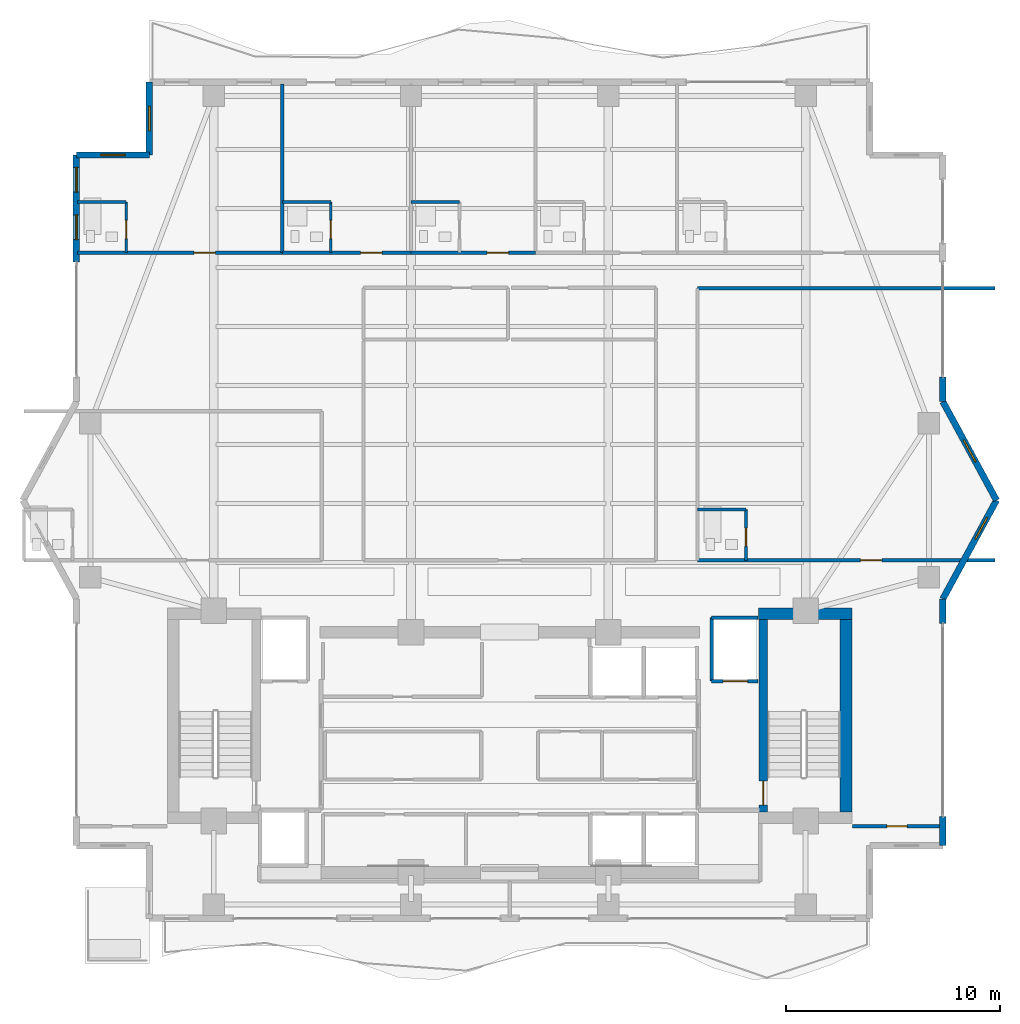
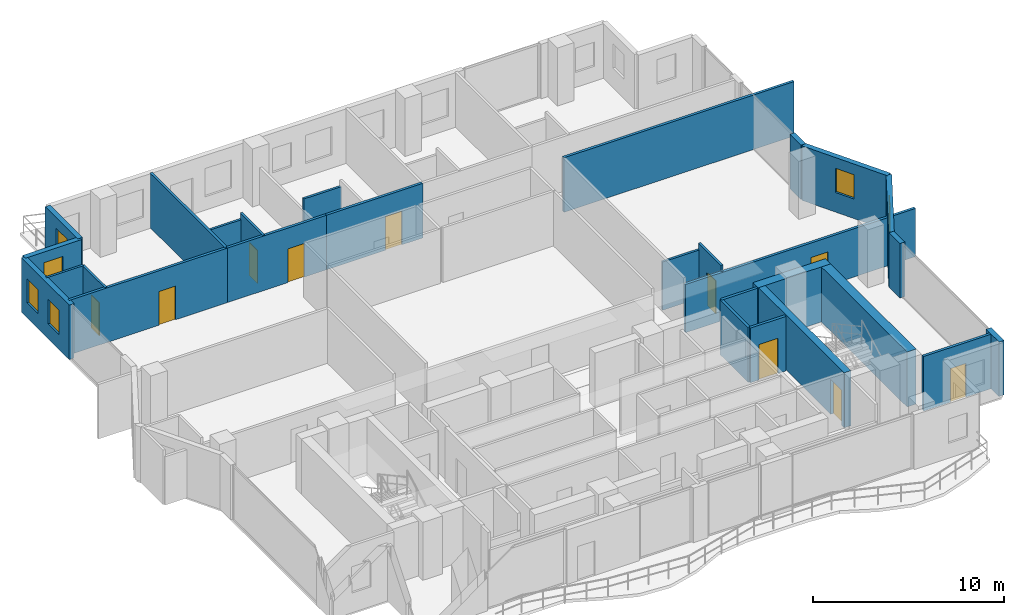
# One storey, part 20 of 26: 28 walls, 10 doors, 6 windows, 16 openings.
"""IFC4 building model written with IfcOpenShell, lengths in metres."""

from ifc_helpers import new_model, si_unit, direction, frame, frame_2d, origin, place, context, subcontext, project, spatial, rectangle, extrude, material, layer, layer_set, type_object, element, fill, save


model = new_model("IFC4")

# Units and contexts
model_context = context("Model", 3, precision=1e-05, world=origin(), true_north=direction((0.0, 1.0)))
body_context = subcontext(model_context, "Body", "Model", "MODEL_VIEW")
ifc_project = project(units=[si_unit("LENGTHUNIT", "METRE"), si_unit("AREAUNIT", "SQUARE_METRE"), si_unit("VOLUMEUNIT", "CUBIC_METRE"), si_unit("PLANEANGLEUNIT", "RADIAN"), si_unit("MASSUNIT", "GRAM", prefix="KILO")], contexts=[model_context])

# Site, building, storey
site_placement = place(None, origin())
site = spatial("IfcSite", under=ifc_project, at=site_placement, CompositionType="ELEMENT")
building_placement = place(site_placement, origin())
building = spatial("IfcBuilding", under=site, at=building_placement, Name="Zuhayl Quay Hotel", CompositionType="ELEMENT")
storey_placement = place(building_placement, frame((0.0, 0.0, 247.050048828125)))
storey = spatial("IfcBuildingStorey", under=building, at=storey_placement, Name="L62", CompositionType="ELEMENT", Elevation=247.050048828125)

# Walls
ifc_material_1 = material(Name="Concrete C50/60", Category="concrete")
ifc_layer_1 = layer(ifc_material_1, 0.550048828125, Name="Concrete C50/60", Category="concrete")
ifc_layer_set_1 = layer_set([ifc_layer_1], Name="Concrete C50/60")
wall_type_1 = type_object("IfcWallType", Name="WL_CORE_550", PredefinedType="SHEAR", material=ifc_layer_set_1)
wall_1_placement = place(storey_placement, frame((11.60009765625, 14.205078125, 0.0), z_axis=(0.0, 0.0, 1.0), x_axis=(1.0, 0.0, 0.0)))
element("IfcWall", 1, at=wall_1_placement, inside=storey, type_object=wall_type_1, Name="L62 Core Shear Wall CW_NE", PredefinedType="SHEAR", context=body_context, shape_type="SweptSolid", body=[
    extrude(rectangle(XDim=4.35986328125, YDim=0.550048828125, at=frame_2d((2.179931640625, 0.0))), origin(), (0.0, 0.0, 1.0), 3.510009765625),
])
wall_2_placement = place(storey_placement, frame((15.68505859375, 4.969970703125, 0.0), z_axis=(0.0, 0.0, 1.0), x_axis=(0.0, 1.0, 0.0)))
element("IfcWall", 2, at=wall_2_placement, inside=storey, type_object=wall_type_1, Name="L62 Core Shear Wall CW_E", PredefinedType="SHEAR", context=body_context, shape_type="SweptSolid", body=[
    extrude(rectangle(XDim=8.9599609375, YDim=0.550048828125, at=frame_2d((4.47998046875, 0.0))), origin(), (0.0, 0.0, 1.0), 3.510009765625),
])

# Wall, openings, windows
ifc_material_2 = material(Name="Precast concrete C45/55", Category="concrete")
ifc_layer_2 = layer(ifc_material_2, 0.300048828125, Name="Precast concrete C45/55", Category="concrete")
ifc_layer_set_2 = layer_set([ifc_layer_2], Name="Precast concrete C45/55")
wall_type_2 = type_object("IfcWallType", Name="WL_EXT_300", PredefinedType="STANDARD", material=ifc_layer_set_2)
wall_3_placement = place(storey_placement, frame((-20.199951171875, 30.60009765625, 0.0), z_axis=(0.0, 0.0, 1.0), x_axis=(0.0, 1.0, 0.0)))
wall_3 = element("IfcWall", 3, at=wall_3_placement, inside=storey, type_object=wall_type_2, Name="L62 Exterior Precast Wall ENV_L62_E05_EW2", PredefinedType="STANDARD", context=body_context, shape_type="SweptSolid", body=[
    extrude(rectangle(XDim=5.0, YDim=0.300048828125, at=frame_2d((2.5, 0.0))), origin(), (0.0, 0.0, 1.0), 3.47998046875),
])
opening_1_placement = place(wall_3_placement, frame((1.054931640625, 0.0, 0.949951171875)))
opening_1 = element("IfcOpeningElement", 4, at=opening_1_placement, cuts=wall_3, Name="Opening W01N", PredefinedType="OPENING", context=body_context, shape_type="SweptSolid", body=[
    extrude(rectangle(XDim=1.14990234375, YDim=1.550048828125, at=frame_2d((0.574951171875, 0.77490234375))), frame((0.0, 0.159912109375, 0.0), z_axis=(0.0, -1.0, 0.0), x_axis=(1.0, 0.0, 0.0)), (0.0, 0.0, 1.0), 0.320068359375),
])
opening_2_placement = place(wall_3_placement, frame((3.27001953125, 0.0, 0.949951171875)))
opening_2 = element("IfcOpeningElement", 5, at=opening_2_placement, cuts=wall_3, Name="Opening W01N", PredefinedType="OPENING", context=body_context, shape_type="SweptSolid", body=[
    extrude(rectangle(XDim=1.14990234375, YDim=1.550048828125, at=frame_2d((0.574951171875, 0.77490234375))), frame((0.0, 0.159912109375, 0.0), z_axis=(0.0, -1.0, 0.0), x_axis=(1.0, 0.0, 0.0)), (0.0, 0.0, 1.0), 0.320068359375),
])
ifc_material_3 = material(Name="Dark Ceramic-Fritted Solar Glass", Category="glass")
window_type = type_object("IfcWindowType", Name="WN_NOTCH_1350", PartitioningType="SINGLE_PANEL", PredefinedType="WINDOW", material=ifc_material_3)
window_1_placement = place(opening_1_placement, origin())
window_1 = element("IfcWindow", 6, at=window_1_placement, inside=storey, type_object=window_type, Name="L62 Operable Facade Window 2-1", OverallHeight=1.550048828125, OverallWidth=1.14990234375, PartitioningType="SINGLE_PANEL", PredefinedType="WINDOW", context=body_context, shape_type="SweptSolid", body=[
    extrude(rectangle(XDim=1.14990234375, YDim=1.550048828125, at=frame_2d((0.574951171875, 0.77490234375))), frame((0.0, 0.030029296875, 0.0), z_axis=(0.0, -1.0, 0.0), x_axis=(1.0, 0.0, 0.0)), (0.0, 0.0, 1.0), 0.06005859375),
])
fill(opening_1, window_1)
window_2_placement = place(opening_2_placement, origin())
window_2 = element("IfcWindow", 7, at=window_2_placement, inside=storey, type_object=window_type, Name="L62 Operable Facade Window 2-2", OverallHeight=1.550048828125, OverallWidth=1.14990234375, PartitioningType="SINGLE_PANEL", PredefinedType="WINDOW", context=body_context, shape_type="SweptSolid", body=[
    extrude(rectangle(XDim=1.14990234375, YDim=1.550048828125, at=frame_2d((0.574951171875, 0.77490234375))), frame((0.0, 0.030029296875, 0.0), z_axis=(0.0, -1.0, 0.0), x_axis=(1.0, 0.0, 0.0)), (0.0, 0.0, 1.0), 0.06005859375),
])
fill(opening_2, window_2)

# Wall, opening, window
wall_4_placement = place(storey_placement, frame((-20.199951171875, 35.60009765625, 0.0), z_axis=(0.0, 0.0, 1.0), x_axis=(1.0, 0.0, 0.0)))
wall_4 = element("IfcWall", 8, at=wall_4_placement, inside=storey, type_object=wall_type_2, Name="L62 Exterior Precast Wall ENV_L62_EW06", PredefinedType="STANDARD", context=body_context, shape_type="SweptSolid", body=[
    extrude(rectangle(XDim=3.39990234375, YDim=0.300048828125, at=frame_2d((1.699951171875, 0.0))), origin(), (0.0, 0.0, 1.0), 3.47998046875),
])
opening_3_placement = place(wall_4_placement, frame((1.125, 0.0, 1.25)))
opening_3 = element("IfcOpeningElement", 9, at=opening_3_placement, cuts=wall_4, Name="Opening W01N", PredefinedType="OPENING", context=body_context, shape_type="SweptSolid", body=[
    extrude(rectangle(XDim=1.14990234375, YDim=1.550048828125, at=frame_2d((0.574951171875, 0.77490234375))), frame((0.0, 0.159912109375, 0.0), z_axis=(0.0, -1.0, 0.0), x_axis=(1.0, 0.0, 0.0)), (0.0, 0.0, 1.0), 0.320068359375),
])
window_3_placement = place(opening_3_placement, origin())
window_3 = element("IfcWindow", 10, at=window_3_placement, inside=storey, type_object=window_type, Name="L62 Corner Notch Window 6", OverallHeight=1.550048828125, OverallWidth=1.14990234375, PartitioningType="SINGLE_PANEL", PredefinedType="WINDOW", context=body_context, shape_type="SweptSolid", body=[
    extrude(rectangle(XDim=1.14990234375, YDim=1.550048828125, at=frame_2d((0.574951171875, 0.77490234375))), frame((0.0, 0.030029296875, 0.0), z_axis=(0.0, -1.0, 0.0), x_axis=(1.0, 0.0, 0.0)), (0.0, 0.0, 1.0), 0.06005859375),
])
fill(opening_3, window_3)

wall_5_placement = place(storey_placement, frame((-16.800048828125, 35.60009765625, 0.0), z_axis=(0.0, 0.0, 1.0), x_axis=(0.0, 1.0, 0.0)))
wall_5 = element("IfcWall", 11, at=wall_5_placement, inside=storey, type_object=wall_type_2, Name="L62 Exterior Precast Wall ENV_L62_EW07", PredefinedType="STANDARD", context=body_context, shape_type="SweptSolid", body=[
    extrude(rectangle(XDim=3.39990234375, YDim=0.300048828125, at=frame_2d((1.699951171875, 0.0))), origin(), (0.0, 0.0, 1.0), 3.47998046875),
])
opening_4_placement = place(wall_5_placement, frame((1.125, 0.0, 1.25)))
opening_4 = element("IfcOpeningElement", 12, at=opening_4_placement, cuts=wall_5, Name="Opening W01N", PredefinedType="OPENING", context=body_context, shape_type="SweptSolid", body=[
    extrude(rectangle(XDim=1.14990234375, YDim=1.550048828125, at=frame_2d((0.574951171875, 0.77490234375))), frame((0.0, 0.159912109375, 0.0), z_axis=(0.0, -1.0, 0.0), x_axis=(1.0, 0.0, 0.0)), (0.0, 0.0, 1.0), 0.320068359375),
])
window_4_placement = place(opening_4_placement, origin())
window_4 = element("IfcWindow", 13, at=window_4_placement, inside=storey, type_object=window_type, Name="L62 Corner Notch Window 7", OverallHeight=1.550048828125, OverallWidth=1.14990234375, PartitioningType="SINGLE_PANEL", PredefinedType="WINDOW", context=body_context, shape_type="SweptSolid", body=[
    extrude(rectangle(XDim=1.14990234375, YDim=1.550048828125, at=frame_2d((0.574951171875, 0.77490234375))), frame((0.0, 0.030029296875, 0.0), z_axis=(0.0, -1.0, 0.0), x_axis=(1.0, 0.0, 0.0)), (0.0, 0.0, 1.0), 0.06005859375),
])
fill(opening_4, window_4)

# Wall
wall_6_placement = place(storey_placement, frame((20.199951171875, 25.25, 0.0), z_axis=(0.0, 0.0, 1.0), x_axis=(0.0, -1.0, 0.0)))
element("IfcWall", 14, at=wall_6_placement, inside=storey, type_object=wall_type_2, Name="L62 Exterior Precast Wall ENV_L62_E11_EW3", PredefinedType="STANDARD", context=body_context, shape_type="SweptSolid", body=[
    extrude(rectangle(XDim=1.14990234375, YDim=0.300048828125, at=frame_2d((0.574951171875, 0.0))), origin(), (0.0, 0.0, 1.0), 3.47998046875),
])

# Wall, opening, window
wall_7_placement = place(storey_placement, frame((20.199951171875, 24.10009765625, 0.0), z_axis=(0.0, 0.0, 1.0), x_axis=(0.477505494629, -0.878628762675, 0.0)))
wall_7 = element("IfcWall", 15, at=wall_7_placement, inside=storey, type_object=wall_type_2, Name="L62 Exterior Precast Wall ENV_L62_EW12", PredefinedType="STANDARD", context=body_context, shape_type="SweptSolid", body=[
    extrude(rectangle(XDim=5.235595703125, YDim=0.300048828125, at=frame_2d((2.61767578125, 0.0))), origin(), (0.0, 0.0, 1.0), 3.47998046875),
])
opening_5_placement = place(wall_7_placement, frame((2.042724609375, 0.0, 1.25)))
opening_5 = element("IfcOpeningElement", 16, at=opening_5_placement, cuts=wall_7, Name="Opening W01N", PredefinedType="OPENING", context=body_context, shape_type="SweptSolid", body=[
    extrude(rectangle(XDim=1.14990234375, YDim=1.550048828125, at=frame_2d((0.574951171875, 0.77490234375))), frame((0.0, 0.159912109375, 0.0), z_axis=(0.0, -1.0, 0.0), x_axis=(1.0, 0.0, 0.0)), (0.0, 0.0, 1.0), 0.320068359375),
])
window_5_placement = place(opening_5_placement, origin())
window_5 = element("IfcWindow", 17, at=window_5_placement, inside=storey, type_object=window_type, Name="L62 Corner Notch Window 12", OverallHeight=1.550048828125, OverallWidth=1.14990234375, PartitioningType="SINGLE_PANEL", PredefinedType="WINDOW", context=body_context, shape_type="SweptSolid", body=[
    extrude(rectangle(XDim=1.14990234375, YDim=1.550048828125, at=frame_2d((0.574951171875, 0.77490234375))), frame((0.0, 0.030029296875, 0.0), z_axis=(0.0, -1.0, 0.0), x_axis=(1.0, 0.0, 0.0)), (0.0, 0.0, 1.0), 0.06005859375),
])
fill(opening_5, window_5)

wall_8_placement = place(storey_placement, frame((22.699951171875, 19.5, 0.0), z_axis=(0.0, 0.0, 1.0), x_axis=(-0.477505494629, -0.878628762675, 0.0)))
wall_8 = element("IfcWall", 18, at=wall_8_placement, inside=storey, type_object=wall_type_2, Name="L62 Exterior Precast Wall ENV_L62_EW13", PredefinedType="STANDARD", context=body_context, shape_type="SweptSolid", body=[
    extrude(rectangle(XDim=5.235595703125, YDim=0.300048828125, at=frame_2d((2.61767578125, 0.0))), origin(), (0.0, 0.0, 1.0), 3.47998046875),
])
opening_6_placement = place(wall_8_placement, frame((0.91064453125, 0.0, 1.25)))
opening_6 = element("IfcOpeningElement", 19, at=opening_6_placement, cuts=wall_8, Name="Opening W01N", PredefinedType="OPENING", context=body_context, shape_type="SweptSolid", body=[
    extrude(rectangle(XDim=1.14990234375, YDim=1.550048828125, at=frame_2d((0.574951171875, 0.77490234375))), frame((0.0, 0.159912109375, 0.0), z_axis=(0.0, -1.0, 0.0), x_axis=(1.0, 0.0, 0.0)), (0.0, 0.0, 1.0), 0.320068359375),
])
window_6_placement = place(opening_6_placement, origin())
window_6 = element("IfcWindow", 20, at=window_6_placement, inside=storey, type_object=window_type, Name="L62 Corner Notch Window 13", OverallHeight=1.550048828125, OverallWidth=1.14990234375, PartitioningType="SINGLE_PANEL", PredefinedType="WINDOW", context=body_context, shape_type="SweptSolid", body=[
    extrude(rectangle(XDim=1.14990234375, YDim=1.550048828125, at=frame_2d((0.574951171875, 0.77490234375))), frame((0.0, 0.030029296875, 0.0), z_axis=(0.0, -1.0, 0.0), x_axis=(1.0, 0.0, 0.0)), (0.0, 0.0, 1.0), 0.06005859375),
])
fill(opening_6, window_6)

# Walls
wall_9_placement = place(storey_placement, frame((20.199951171875, 14.89990234375, 0.0), z_axis=(0.0, 0.0, 1.0), x_axis=(0.0, -1.0, 0.0)))
element("IfcWall", 21, at=wall_9_placement, inside=storey, type_object=wall_type_2, Name="L62 Exterior Precast Wall ENV_L62_E14_EW1", PredefinedType="STANDARD", context=body_context, shape_type="SweptSolid", body=[
    extrude(rectangle(XDim=1.14990234375, YDim=0.300048828125, at=frame_2d((0.574951171875, 0.0))), origin(), (0.0, 0.0, 1.0), 3.47998046875),
])
wall_10_placement = place(storey_placement, frame((20.199951171875, 4.75, 0.0), z_axis=(0.0, 0.0, 1.0), x_axis=(0.0, -1.0, 0.0)))
element("IfcWall", 22, at=wall_10_placement, inside=storey, type_object=wall_type_2, Name="L62 Exterior Precast Wall ENV_L62_E14_EW2", PredefinedType="STANDARD", context=body_context, shape_type="SweptSolid", body=[
    extrude(rectangle(XDim=1.35009765625, YDim=0.300048828125, at=frame_2d((0.675048828125, 0.0))), origin(), (0.0, 0.0, 1.0), 3.47998046875),
])
ifc_material_4 = material(Name="Acoustic Gypsum Partition STC-58")
ifc_layer_3 = layer(ifc_material_4, 0.14990234375, Name="Acoustic Gypsum Partition STC-58")
ifc_layer_set_3 = layer_set([ifc_layer_3], Name="Acoustic Gypsum Partition STC-58")
wall_type_3 = type_object("IfcWallType", Name="WL_PART_150", PredefinedType="PARTITIONING", material=ifc_layer_set_3)
wall_11_placement = place(storey_placement, frame((-10.60009765625, 31.050048828125, 0.0), z_axis=(0.0, 0.0, 1.0), x_axis=(0.0, 1.0, 0.0)))
element("IfcWall", 23, at=wall_11_placement, inside=storey, type_object=wall_type_3, Name="L62 Partition IW_L62_NU01_E", PredefinedType="PARTITIONING", context=body_context, shape_type="SweptSolid", body=[
    extrude(rectangle(XDim=7.869873046875, YDim=0.14990234375, at=frame_2d((3.93505859375, 0.0))), origin(), (0.0, 0.0, 1.0), 3.47998046875),
])

# Wall, opening, door
ifc_layer_4 = layer(ifc_material_4, 0.159912109375, Name="Acoustic Gypsum Partition STC-58")
ifc_layer_set_4 = layer_set([ifc_layer_4], Name="Acoustic Gypsum Partition STC-58")
wall_type_4 = type_object("IfcWallType", Name="WL_PART_CORR_160", PredefinedType="PARTITIONING", material=ifc_layer_set_4)
wall_12_placement = place(storey_placement, frame((15.97998046875, 4.300048828125, 0.0), z_axis=(0.0, 0.0, 1.0), x_axis=(1.0, 0.0, 0.0)))
wall_12 = element("IfcWall", 24, at=wall_12_placement, inside=storey, type_object=wall_type_4, Name="L62 Partition IW_L62_Z4_SUN_SE_N", PredefinedType="PARTITIONING", context=body_context, shape_type="SweptSolid", body=[
    extrude(rectangle(XDim=4.159912109375, YDim=0.159912109375, at=frame_2d((2.080078125, 0.0))), origin(), (0.0, 0.0, 1.0), 3.47998046875),
])
opening_7_placement = place(wall_12_placement, frame((1.60498046875, 0.0, 0.0)))
opening_7 = element("IfcOpeningElement", 25, at=opening_7_placement, cuts=wall_12, Name="Opening D03", PredefinedType="OPENING", context=body_context, shape_type="SweptSolid", body=[
    extrude(rectangle(XDim=0.949951171875, YDim=2.14990234375, at=frame_2d((0.47509765625, 1.074951171875))), frame((0.0, 0.08984375, 0.0), z_axis=(0.0, -1.0, 0.0), x_axis=(1.0, 0.0, 0.0)), (0.0, 0.0, 1.0), 0.179931640625),
])
ifc_material_5 = material(Name="Solid Walnut Acoustic Fire Door")
door_type_1 = type_object("IfcDoorType", Name="DR_SUITE_950", OperationType="NOTDEFINED", PredefinedType="DOOR", material=ifc_material_5)
door_1_placement = place(opening_7_placement, origin())
door_1 = element("IfcDoor", 26, at=door_1_placement, inside=storey, type_object=door_type_1, Name="L62 Sunset Salon SE Door", OperationType="SINGLE_SWING_RIGHT", OverallHeight=2.14990234375, OverallWidth=0.949951171875, PredefinedType="DOOR", context=body_context, shape_type="SweptSolid", body=[
    extrude(rectangle(XDim=0.949951171875, YDim=2.14990234375, at=frame_2d((0.47509765625, 1.074951171875))), frame((0.0, 0.02490234375, 0.0), z_axis=(0.0, -1.0, 0.0), x_axis=(1.0, 0.0, 0.0)), (0.0, 0.0, 1.0), 0.050048828125),
])
fill(opening_7, door_1)

wall_13_placement = place(storey_placement, frame((-20.139892578125, 31.050048828125, 0.0), z_axis=(0.0, 0.0, 1.0), x_axis=(1.0, 0.0, 0.0)))
wall_13 = element("IfcWall", 27, at=wall_13_placement, inside=storey, type_object=wall_type_4, Name="L62 Partition IW_L62_NU01_COR", PredefinedType="PARTITIONING", context=body_context, shape_type="SweptSolid", body=[
    extrude(rectangle(XDim=9.539794921875, YDim=0.159912109375, at=frame_2d((4.77001953125, 0.0))), origin(), (0.0, 0.0, 1.0), 3.47998046875),
])
opening_8_placement = place(wall_13_placement, frame((5.419921875, 0.0, 0.0)))
opening_8 = element("IfcOpeningElement", 28, at=opening_8_placement, cuts=wall_13, Name="Opening D03L", PredefinedType="OPENING", context=body_context, shape_type="SweptSolid", body=[
    extrude(rectangle(XDim=1.0, YDim=2.14990234375, at=frame_2d((0.5, 1.074951171875))), frame((0.0, 0.08984375, 0.0), z_axis=(0.0, -1.0, 0.0), x_axis=(1.0, 0.0, 0.0)), (0.0, 0.0, 1.0), 0.179931640625),
])
door_type_2 = type_object("IfcDoorType", Name="DR_SUITE_1000", OperationType="NOTDEFINED", PredefinedType="DOOR", material=ifc_material_5)
door_2_placement = place(opening_8_placement, origin())
door_2 = element("IfcDoor", 29, at=door_2_placement, inside=storey, type_object=door_type_2, Name="L62 Royal Gulf Suite L62-01 Entrance Door", OperationType="SINGLE_SWING_RIGHT", OverallHeight=2.14990234375, OverallWidth=1.0, PredefinedType="DOOR", context=body_context, shape_type="SweptSolid", body=[
    extrude(rectangle(XDim=1.0, YDim=2.14990234375, at=frame_2d((0.5, 1.074951171875))), frame((0.0, 0.02490234375, 0.0), z_axis=(0.0, -1.0, 0.0), x_axis=(1.0, 0.0, 0.0)), (0.0, 0.0, 1.0), 0.050048828125),
])
fill(opening_8, door_2)

wall_14_placement = place(storey_placement, frame((-10.60009765625, 31.050048828125, 0.0), z_axis=(0.0, 0.0, 1.0), x_axis=(1.0, 0.0, 0.0)))
wall_14 = element("IfcWall", 30, at=wall_14_placement, inside=storey, type_object=wall_type_4, Name="L62 Partition IW_L62_NU02_COR", PredefinedType="PARTITIONING", context=body_context, shape_type="SweptSolid", body=[
    extrude(rectangle(XDim=6.0, YDim=0.159912109375, at=frame_2d((3.0, 0.0))), origin(), (0.0, 0.0, 1.0), 3.47998046875),
])
opening_9_placement = place(wall_14_placement, frame((3.64990234375, 0.0, 0.0)))
opening_9 = element("IfcOpeningElement", 31, at=opening_9_placement, cuts=wall_14, Name="Opening D03L", PredefinedType="OPENING", context=body_context, shape_type="SweptSolid", body=[
    extrude(rectangle(XDim=1.0, YDim=2.14990234375, at=frame_2d((0.5, 1.074951171875))), frame((0.0, 0.08984375, 0.0), z_axis=(0.0, -1.0, 0.0), x_axis=(1.0, 0.0, 0.0)), (0.0, 0.0, 1.0), 0.179931640625),
])
door_3_placement = place(opening_9_placement, origin())
door_3 = element("IfcDoor", 32, at=door_3_placement, inside=storey, type_object=door_type_2, Name="L62 Royal Gulf Suite L62-02 Entrance Door", OperationType="SINGLE_SWING_RIGHT", OverallHeight=2.14990234375, OverallWidth=1.0, PredefinedType="DOOR", context=body_context, shape_type="SweptSolid", body=[
    extrude(rectangle(XDim=1.0, YDim=2.14990234375, at=frame_2d((0.5, 1.074951171875))), frame((0.0, 0.02490234375, 0.0), z_axis=(0.0, -1.0, 0.0), x_axis=(1.0, 0.0, 0.0)), (0.0, 0.0, 1.0), 0.050048828125),
])
fill(opening_9, door_3)

wall_15_placement = place(storey_placement, frame((-4.60009765625, 31.050048828125, 0.0), z_axis=(0.0, 0.0, 1.0), x_axis=(1.0, 0.0, 0.0)))
wall_15 = element("IfcWall", 33, at=wall_15_placement, inside=storey, type_object=wall_type_4, Name="L62 Partition IW_L62_NU03_COR", PredefinedType="PARTITIONING", context=body_context, shape_type="SweptSolid", body=[
    extrude(rectangle(XDim=5.800048828125, YDim=0.159912109375, at=frame_2d((2.89990234375, 0.0))), origin(), (0.0, 0.0, 1.0), 3.47998046875),
])
opening_10_placement = place(wall_15_placement, frame((3.550048828125, 0.0, 0.0)))
opening_10 = element("IfcOpeningElement", 34, at=opening_10_placement, cuts=wall_15, Name="Opening D03L", PredefinedType="OPENING", context=body_context, shape_type="SweptSolid", body=[
    extrude(rectangle(XDim=1.0, YDim=2.14990234375, at=frame_2d((0.5, 1.074951171875))), frame((0.0, 0.08984375, 0.0), z_axis=(0.0, -1.0, 0.0), x_axis=(1.0, 0.0, 0.0)), (0.0, 0.0, 1.0), 0.179931640625),
])
door_4_placement = place(opening_10_placement, origin())
door_4 = element("IfcDoor", 35, at=door_4_placement, inside=storey, type_object=door_type_2, Name="L62 Royal Gulf Suite L62-03 Entrance Door", OperationType="SINGLE_SWING_RIGHT", OverallHeight=2.14990234375, OverallWidth=1.0, PredefinedType="DOOR", context=body_context, shape_type="SweptSolid", body=[
    extrude(rectangle(XDim=1.0, YDim=2.14990234375, at=frame_2d((0.5, 1.074951171875))), frame((0.0, 0.02490234375, 0.0), z_axis=(0.0, -1.0, 0.0), x_axis=(1.0, 0.0, 0.0)), (0.0, 0.0, 1.0), 0.050048828125),
])
fill(opening_10, door_4)

wall_16_placement = place(storey_placement, frame((8.760009765625, 16.699951171875, 0.0), z_axis=(0.0, 0.0, 1.0), x_axis=(1.0, 0.0, 0.0)))
wall_16 = element("IfcWall", 36, at=wall_16_placement, inside=storey, type_object=wall_type_4, Name="L62 Partition IW_L62_EU01_COR", PredefinedType="PARTITIONING", context=body_context, shape_type="SweptSolid", body=[
    extrude(rectangle(XDim=13.8798828125, YDim=0.159912109375, at=frame_2d((6.93994140625, 0.0))), origin(), (0.0, 0.0, 1.0), 3.075927734375),
])
opening_11_placement = place(wall_16_placement, frame((7.590087890625, 0.0, 0.0)))
opening_11 = element("IfcOpeningElement", 37, at=opening_11_placement, cuts=wall_16, Name="Opening D03L", PredefinedType="OPENING", context=body_context, shape_type="SweptSolid", body=[
    extrude(rectangle(XDim=1.0, YDim=2.14990234375, at=frame_2d((0.5, 1.074951171875))), frame((0.0, 0.08984375, 0.0), z_axis=(0.0, -1.0, 0.0), x_axis=(1.0, 0.0, 0.0)), (0.0, 0.0, 1.0), 0.179931640625),
])
door_5_placement = place(opening_11_placement, origin())
door_5 = element("IfcDoor", 38, at=door_5_placement, inside=storey, type_object=door_type_2, Name="L62 East Gulf Suite L62-E1 Entrance Door", OperationType="SINGLE_SWING_LEFT", OverallHeight=2.14990234375, OverallWidth=1.0, PredefinedType="DOOR", context=body_context, shape_type="SweptSolid", body=[
    extrude(rectangle(XDim=1.0, YDim=2.14990234375, at=frame_2d((0.5, 1.074951171875))), frame((0.0, 0.02490234375, 0.0), z_axis=(0.0, -1.0, 0.0), x_axis=(1.0, 0.0, 0.0)), (0.0, 0.0, 1.0), 0.050048828125),
])
fill(opening_11, door_5)

# Wall
wall_17_placement = place(storey_placement, frame((8.760009765625, 29.3798828125, 0.0), z_axis=(0.0, 0.0, 1.0), x_axis=(1.0, 0.0, 0.0)))
element("IfcWall", 39, at=wall_17_placement, inside=storey, type_object=wall_type_4, Name="L62 Partition IW_L62_EU01_BK", PredefinedType="PARTITIONING", context=body_context, shape_type="SweptSolid", body=[
    extrude(rectangle(XDim=13.8798828125, YDim=0.159912109375, at=frame_2d((6.93994140625, 0.0))), origin(), (0.0, 0.0, 1.0), 3.47998046875),
])

# Wall, opening, door
ifc_material_6 = material(Name="Moisture-Resistant Sanitarychase Gypsum")
ifc_layer_5 = layer(ifc_material_6, 0.135009765625, Name="Moisture-Resistant Sanitarychase Gypsum")
ifc_layer_set_5 = layer_set([ifc_layer_5], Name="Moisture-Resistant Sanitarychase Gypsum")
wall_type_5 = type_object("IfcWallType", Name="WL_PART_PLUMB_150", PredefinedType="PLUMBINGWALL", material=ifc_layer_set_5)
wall_18_placement = place(storey_placement, frame((-17.8798828125, 31.050048828125, 0.0), z_axis=(0.0, 0.0, 1.0), x_axis=(0.0, 1.0, 0.0)))
wall_18 = element("IfcWall", 40, at=wall_18_placement, inside=storey, type_object=wall_type_5, Name="L62 Partition IW_L62_NU01_BE", PredefinedType="PLUMBINGWALL", context=body_context, shape_type="SweptSolid", body=[
    extrude(rectangle(XDim=2.35986328125, YDim=0.135009765625, at=frame_2d((1.179931640625, 0.0))), origin(), (0.0, 0.0, 1.0), 3.47998046875),
])
opening_12_placement = place(wall_18_placement, frame((0.64990234375, 0.0, 0.0)))
opening_12 = element("IfcOpeningElement", 41, at=opening_12_placement, cuts=wall_18, Name="Opening D04", PredefinedType="OPENING", context=body_context, shape_type="SweptSolid", body=[
    extrude(rectangle(XDim=0.85009765625, YDim=2.10009765625, at=frame_2d((0.425048828125, 1.050048828125))), frame((0.0, 0.077392578125, 0.0), z_axis=(0.0, -1.0, 0.0), x_axis=(1.0, 0.0, 0.0)), (0.0, 0.0, 1.0), 0.155029296875),
])
ifc_material_7 = material(Name="Moisture-Resistant Walnut Veneer")
door_type_3 = type_object("IfcDoorType", Name="DR_BATH_850", OperationType="NOTDEFINED", PredefinedType="DOOR", material=ifc_material_7)
door_6_placement = place(opening_12_placement, origin())
door_6 = element("IfcDoor", 42, at=door_6_placement, inside=storey, type_object=door_type_3, Name="L62 Royal Gulf Suite L62-01 En-Suite Door", OperationType="SINGLE_SWING_LEFT", OverallHeight=2.10009765625, OverallWidth=0.85009765625, PredefinedType="DOOR", context=body_context, shape_type="SweptSolid", body=[
    extrude(rectangle(XDim=0.85009765625, YDim=2.10009765625, at=frame_2d((0.425048828125, 1.050048828125))), frame((0.0, 0.02490234375, 0.0), z_axis=(0.0, -1.0, 0.0), x_axis=(1.0, 0.0, 0.0)), (0.0, 0.0, 1.0), 0.050048828125),
])
fill(opening_12, door_6)

wall_19_placement = place(storey_placement, frame((-8.340087890625, 31.050048828125, 0.0), z_axis=(0.0, 0.0, 1.0), x_axis=(0.0, 1.0, 0.0)))
wall_19 = element("IfcWall", 43, at=wall_19_placement, inside=storey, type_object=wall_type_5, Name="L62 Partition IW_L62_NU02_BE", PredefinedType="PLUMBINGWALL", context=body_context, shape_type="SweptSolid", body=[
    extrude(rectangle(XDim=2.35986328125, YDim=0.135009765625, at=frame_2d((1.179931640625, 0.0))), origin(), (0.0, 0.0, 1.0), 3.47998046875),
])
opening_13_placement = place(wall_19_placement, frame((0.64990234375, 0.0, 0.0)))
opening_13 = element("IfcOpeningElement", 44, at=opening_13_placement, cuts=wall_19, Name="Opening D04", PredefinedType="OPENING", context=body_context, shape_type="SweptSolid", body=[
    extrude(rectangle(XDim=0.85009765625, YDim=2.10009765625, at=frame_2d((0.425048828125, 1.050048828125))), frame((0.0, 0.077392578125, 0.0), z_axis=(0.0, -1.0, 0.0), x_axis=(1.0, 0.0, 0.0)), (0.0, 0.0, 1.0), 0.155029296875),
])
door_7_placement = place(opening_13_placement, origin())
door_7 = element("IfcDoor", 45, at=door_7_placement, inside=storey, type_object=door_type_3, Name="L62 Royal Gulf Suite L62-02 En-Suite Door", OperationType="SINGLE_SWING_LEFT", OverallHeight=2.10009765625, OverallWidth=0.85009765625, PredefinedType="DOOR", context=body_context, shape_type="SweptSolid", body=[
    extrude(rectangle(XDim=0.85009765625, YDim=2.10009765625, at=frame_2d((0.425048828125, 1.050048828125))), frame((0.0, 0.02490234375, 0.0), z_axis=(0.0, -1.0, 0.0), x_axis=(1.0, 0.0, 0.0)), (0.0, 0.0, 1.0), 0.050048828125),
])
fill(opening_13, door_7)

wall_20_placement = place(storey_placement, frame((11.02001953125, 16.699951171875, 0.0), z_axis=(0.0, 0.0, 1.0), x_axis=(0.0, 1.0, 0.0)))
wall_20 = element("IfcWall", 46, at=wall_20_placement, inside=storey, type_object=wall_type_5, Name="L62 Partition IW_L62_EU01_BE", PredefinedType="PLUMBINGWALL", context=body_context, shape_type="SweptSolid", body=[
    extrude(rectangle(XDim=2.360107421875, YDim=0.135009765625, at=frame_2d((1.18017578125, 0.0))), origin(), (0.0, 0.0, 1.0), 3.47998046875),
])
opening_14_placement = place(wall_20_placement, frame((0.64990234375, 0.0, 0.0)))
opening_14 = element("IfcOpeningElement", 47, at=opening_14_placement, cuts=wall_20, Name="Opening D04", PredefinedType="OPENING", context=body_context, shape_type="SweptSolid", body=[
    extrude(rectangle(XDim=0.85009765625, YDim=2.10009765625, at=frame_2d((0.425048828125, 1.050048828125))), frame((0.0, 0.077392578125, 0.0), z_axis=(0.0, -1.0, 0.0), x_axis=(1.0, 0.0, 0.0)), (0.0, 0.0, 1.0), 0.155029296875),
])
door_8_placement = place(opening_14_placement, origin())
door_8 = element("IfcDoor", 48, at=door_8_placement, inside=storey, type_object=door_type_3, Name="L62 East Gulf Suite L62-E1 En-Suite Door", OperationType="SINGLE_SWING_RIGHT", OverallHeight=2.10009765625, OverallWidth=0.85009765625, PredefinedType="DOOR", context=body_context, shape_type="SweptSolid", body=[
    extrude(rectangle(XDim=0.85009765625, YDim=2.10009765625, at=frame_2d((0.425048828125, 1.050048828125))), frame((0.0, 0.02490234375, 0.0), z_axis=(0.0, -1.0, 0.0), x_axis=(1.0, 0.0, 0.0)), (0.0, 0.0, 1.0), 0.050048828125),
])
fill(opening_14, door_8)

# Walls
wall_21_placement = place(storey_placement, frame((-20.139892578125, 33.409912109375, 0.0), z_axis=(0.0, 0.0, 1.0), x_axis=(1.0, 0.0, 0.0)))
element("IfcWall", 49, at=wall_21_placement, inside=storey, type_object=wall_type_5, Name="L62 Partition IW_L62_NU01_BN", PredefinedType="PLUMBINGWALL", context=body_context, shape_type="SweptSolid", body=[
    extrude(rectangle(XDim=2.260009765625, YDim=0.135009765625, at=frame_2d((1.1298828125, 0.0))), origin(), (0.0, 0.0, 1.0), 3.47998046875),
])
for number, where, z_axis, x_axis, name in (
    (50, (-10.60009765625, 33.409912109375, 0.0), (0.0, 0.0, 1.0), (1.0, 0.0, 0.0), "L62 Partition IW_L62_NU02_BN"),
    (51, (-4.60009765625, 33.409912109375, 0.0), (0.0, 0.0, 1.0), (1.0, 0.0, 0.0), "L62 Partition IW_L62_NU03_BN"),
    (52, (8.760009765625, 19.06005859375, 0.0), (0.0, 0.0, 1.0), (1.0, 0.0, 0.0), "L62 Partition IW_L62_EU01_BN"),
):
    element("IfcWall", number, at=place(storey_placement, frame(where, z_axis=z_axis, x_axis=x_axis)), inside=storey, type_object=wall_type_5, Name=name, PredefinedType="PLUMBINGWALL", context=body_context, shape_type="SweptSolid", body=[
        extrude(rectangle(XDim=2.260009765625, YDim=0.135009765625, at=frame_2d((1.1298828125, 0.0))), origin(), (0.0, 0.0, 1.0), 3.075927734375),
    ])

# Wall, opening, door
ifc_material_8 = material(Name="Gypsum Fireboard Assembly EI-90")
ifc_layer_6 = layer(ifc_material_8, 0.1650390625, Name="Gypsum Fireboard Assembly EI-90")
ifc_layer_set_6 = layer_set([ifc_layer_6], Name="Gypsum Fireboard Assembly EI-90")
wall_type_6 = type_object("IfcWallType", Name="WL_PART_SHAFT_160", PredefinedType="PARTITIONING", material=ifc_layer_set_6)
wall_22_placement = place(storey_placement, frame((9.419921875, 11.070068359375, 0.0), z_axis=(0.0, 0.0, 1.0), x_axis=(1.0, 0.0, 0.0)))
wall_22 = element("IfcWall", 53, at=wall_22_placement, inside=storey, type_object=wall_type_6, Name="L62 Partition IW_L62_SH_FL2_F", PredefinedType="PARTITIONING", context=body_context, shape_type="SweptSolid", body=[
    extrude(rectangle(XDim=2.16015625, YDim=0.1650390625, at=frame_2d((1.080078125, 0.0))), origin(), (0.0, 0.0, 1.0), 3.47998046875),
])
opening_15_placement = place(wall_22_placement, frame((0.530029296875, 0.0, 0.0)))
opening_15 = element("IfcOpeningElement", 54, at=opening_15_placement, cuts=wall_22, Name="Opening LD2", PredefinedType="OPENING", context=body_context, shape_type="SweptSolid", body=[
    extrude(rectangle(XDim=1.14990234375, YDim=2.25, at=frame_2d((0.574951171875, 1.125))), frame((0.0, 0.092529296875, 0.0), z_axis=(0.0, -1.0, 0.0), x_axis=(1.0, 0.0, 0.0)), (0.0, 0.0, 1.0), 0.18505859375),
])
ifc_material_9 = material(Name="Brushed Stainless Steel", Category="steel")
door_type_4 = type_object("IfcDoorType", Name="DR_LIFT_FF_1100", OperationType="SLIDING_TO_LEFT", PredefinedType="DOOR", material=ifc_material_9)
door_9_placement = place(opening_15_placement, origin())
door_9 = element("IfcDoor", 55, at=door_9_placement, inside=storey, type_object=door_type_4, Name="L62 Lift FL2 Sliding Landing Door", OperationType="SLIDING_TO_LEFT", OverallHeight=2.25, OverallWidth=1.14990234375, PredefinedType="DOOR", context=body_context, shape_type="SweptSolid", body=[
    extrude(rectangle(XDim=1.14990234375, YDim=2.25, at=frame_2d((0.574951171875, 1.125))), frame((0.0, 0.02490234375, 0.0), z_axis=(0.0, -1.0, 0.0), x_axis=(1.0, 0.0, 0.0)), (0.0, 0.0, 1.0), 0.050048828125),
])
fill(opening_15, door_9)

# Walls
wall_23_placement = place(storey_placement, frame((9.419921875, 11.070068359375, 0.0), z_axis=(0.0, 0.0, 1.0), x_axis=(0.0, 1.0, 0.0)))
element("IfcWall", 56, at=wall_23_placement, inside=storey, type_object=wall_type_6, Name="L62 Partition IW_L62_SH_FL2_W", PredefinedType="PARTITIONING", context=body_context, shape_type="SweptSolid", body=[
    extrude(rectangle(XDim=2.9599609375, YDim=0.1650390625, at=frame_2d((1.47998046875, 0.0))), origin(), (0.0, 0.0, 1.0), 3.47998046875),
])
wall_24_placement = place(storey_placement, frame((9.419921875, 14.030029296875, 0.0), z_axis=(0.0, 0.0, 1.0), x_axis=(1.0, 0.0, 0.0)))
element("IfcWall", 57, at=wall_24_placement, inside=storey, type_object=wall_type_6, Name="L62 Partition IW_L62_SH_FL2_B", PredefinedType="PARTITIONING", context=body_context, shape_type="SweptSolid", body=[
    extrude(rectangle(XDim=2.16015625, YDim=0.1650390625, at=frame_2d((1.080078125, 0.0))), origin(), (0.0, 0.0, 1.0), 3.47998046875),
])

# Wall, opening, door
ifc_material_10 = material(Name="Concrete C60/75", Category="concrete")
ifc_layer_7 = layer(ifc_material_10, 0.39990234375, Name="Concrete C60/75", Category="concrete")
ifc_layer_set_7 = layer_set([ifc_layer_7], Name="Concrete C60/75")
wall_type_7 = type_object("IfcWallType", Name="WL_STAIR_400", PredefinedType="SHEAR", material=ifc_layer_set_7)
wall_25_placement = place(storey_placement, frame((11.820068359375, 13.929931640625, 0.0), z_axis=(0.0, 0.0, 1.0), x_axis=(0.0, -1.0, 0.0)))
wall_25 = element("IfcWall", 58, at=wall_25_placement, inside=storey, type_object=wall_type_7, Name="L62 Core Shear Wall SW_ST2", PredefinedType="SHEAR", context=body_context, shape_type="SweptSolid", body=[
    extrude(rectangle(XDim=8.9599609375, YDim=0.39990234375, at=frame_2d((4.47998046875, 0.0))), origin(), (0.0, 0.0, 1.0), 3.510009765625),
])
opening_16_placement = place(wall_25_placement, frame((7.530029296875, 0.0, 0.0)))
opening_16 = element("IfcOpeningElement", 59, at=opening_16_placement, cuts=wall_25, Name="Opening D01", PredefinedType="OPENING", context=body_context, shape_type="SweptSolid", body=[
    extrude(rectangle(XDim=1.1201171875, YDim=2.219970703125, at=frame_2d((0.56005859375, 1.10986328125))), frame((0.0, 0.2099609375, 0.0), z_axis=(0.0, -1.0, 0.0), x_axis=(1.0, 0.0, 0.0)), (0.0, 0.0, 1.0), 0.419921875),
])
ifc_material_11 = material(Name="Steel ASTM A992 Grade 50", Category="steel")
door_type_5 = type_object("IfcDoorType", Name="DR_STAIR_90_1100", OperationType="NOTDEFINED", PredefinedType="DOOR", material=ifc_material_11)
door_10_placement = place(opening_16_placement, origin())
door_10 = element("IfcDoor", 60, at=door_10_placement, inside=storey, type_object=door_type_5, Name="L62 Smokeproof Exit Stair ST2 Door", OperationType="SINGLE_SWING_RIGHT", OverallHeight=2.219970703125, OverallWidth=1.1201171875, PredefinedType="DOOR", context=body_context, shape_type="SweptSolid", body=[
    extrude(rectangle(XDim=1.1201171875, YDim=2.219970703125, at=frame_2d((0.56005859375, 1.10986328125))), frame((0.0, 0.02490234375, 0.0), z_axis=(0.0, -1.0, 0.0), x_axis=(1.0, 0.0, 0.0)), (0.0, 0.0, 1.0), 0.050048828125),
])
fill(opening_16, door_10)

save(model, "model.ifc")
